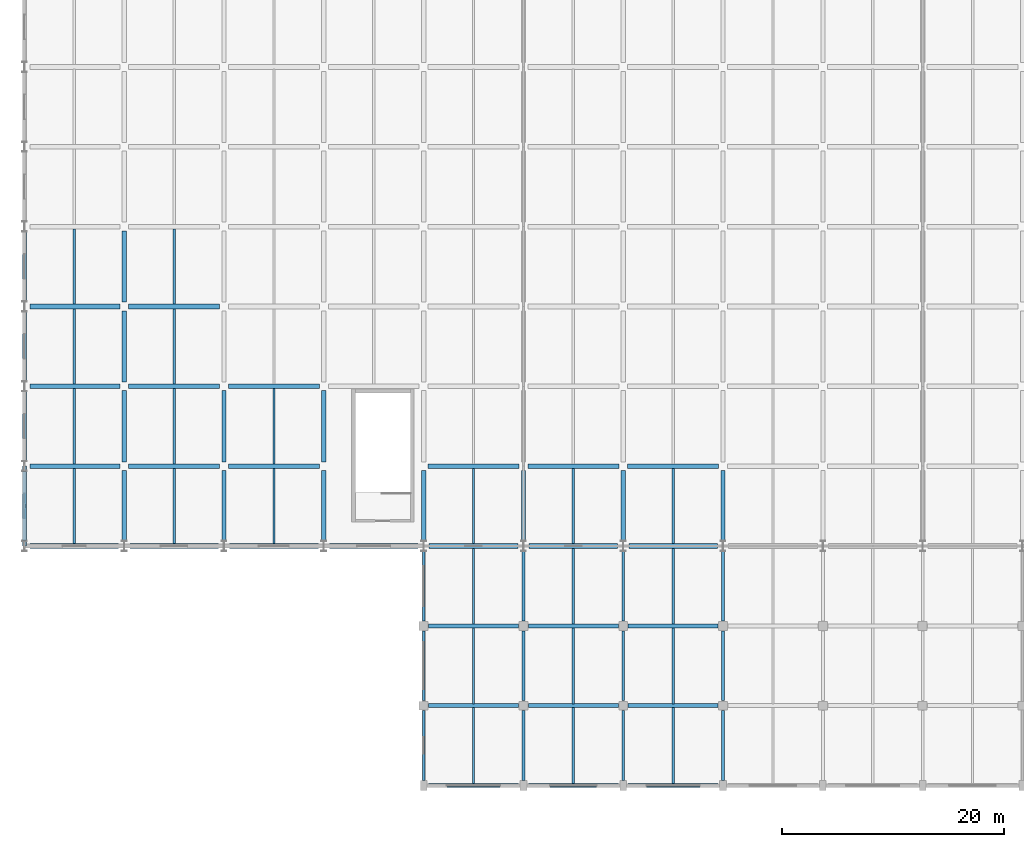
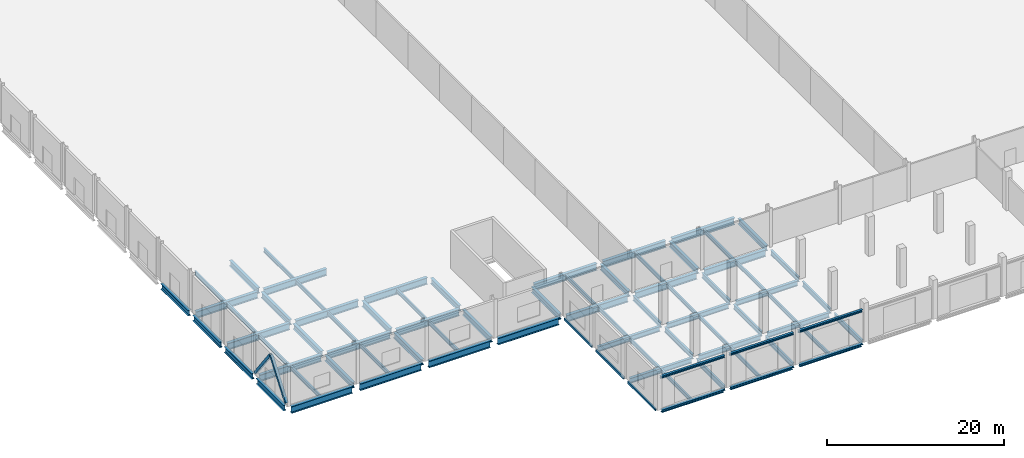
# One storey, part 17 of 137: 80 beams, 2 members.
"""IFC4 building model written with IfcOpenShell, lengths in metres."""

from ifc_helpers import new_model, si_unit, direction, frame, origin, origin_2d, place, context, subcontext, project, spatial, hollow_rectangle, i_section, extrude, material, material_profile, profile_set, type_object, element, save


model = new_model("IFC4")

# Units and contexts
model_context = context("Model", 3, precision=1e-05, world=origin(), true_north=direction((0.0, 1.0)))
body_context = subcontext(model_context, "Body", "Model", "MODEL_VIEW")
ifc_project = project(units=[si_unit("LENGTHUNIT", "METRE"), si_unit("AREAUNIT", "SQUARE_METRE"), si_unit("VOLUMEUNIT", "CUBIC_METRE"), si_unit("PLANEANGLEUNIT", "RADIAN"), si_unit("MASSUNIT", "GRAM", prefix="KILO")], contexts=[model_context])

# Site, building, storey
site_placement = place(None, origin())
site = spatial("IfcSite", under=ifc_project, at=site_placement, CompositionType="ELEMENT")
building_placement = place(site_placement, origin())
building = spatial("IfcBuilding", under=site, at=building_placement, Name="Celestram Park Convention Centre", CompositionType="ELEMENT")
storey_placement = place(building_placement, origin())
storey = spatial("IfcBuildingStorey", under=building, at=storey_placement, Name="L00", CompositionType="ELEMENT", Elevation=0.0)

# Beams
ifc_material_1 = material(Name="Steel ASTM A992 Grade 50", Category="steel")
ifc_material_profile_1 = material_profile(ifc_material_1, i_section(OverallWidth=0.35595703125, OverallDepth=0.696044921875, WebThickness=0.015380859375, FlangeThickness=0.02490234375, at=origin_2d()), Name="W27X146")
ifc_profile_set_1 = profile_set([ifc_material_profile_1], Name="Steel ASTM A992 Grade 50")
beam_type_1 = type_object("IfcBeamType", Name="STR-BM-W27X146", PredefinedType="BEAM", material=ifc_profile_set_1)
for number, where, z_axis, x_axis, name in (
    (1, (36.447998046875, 7.199951171875, -0.66796875), (1.0, 0.0, 0.0), (0.0, 1.0, 0.0), "Primary X-girder BG-L00-0133"),
    (2, (36.447998046875, 14.39990234375, -0.66796875), (1.0, 0.0, 0.0), (0.0, 1.0, 0.0), "Primary X-girder BG-L00-0135"),
    (3, (45.447998046875, 7.199951171875, -0.66796875), (1.0, 0.0, 0.0), (0.0, 1.0, 0.0), "Primary X-girder BG-L00-0177"),
    (4, (45.447998046875, 14.39990234375, -0.66796875), (1.0, 0.0, 0.0), (0.0, 1.0, 0.0), "Primary X-girder BG-L00-0179"),
    (5, (54.447998046875, 7.199951171875, -0.66796875), (1.0, 0.0, 0.0), (0.0, 1.0, 0.0), "Primary X-girder BG-L00-0224"),
    (6, (54.447998046875, 14.39990234375, -0.66796875), (1.0, 0.0, 0.0), (0.0, 1.0, 0.0), "Primary X-girder BG-L00-0226"),
):
    element("IfcBeam", number, at=place(storey_placement, frame(where, z_axis=z_axis, x_axis=x_axis)), inside=storey, type_object=beam_type_1, Name=name, PredefinedType="BEAM", context=body_context, shape_type="SweptSolid", body=[
        extrude(i_section(OverallWidth=0.35595703125, OverallDepth=0.696044921875, WebThickness=0.015380859375, FlangeThickness=0.02490234375, at=origin_2d()), origin(), (0.0, 0.0, 1.0), 8.10400390625),
    ])
ifc_material_profile_2 = material_profile(ifc_material_1, i_section(OverallWidth=0.25390625, OverallDepth=0.68310546875, WebThickness=0.012451171875, FlangeThickness=0.01904296875, at=origin_2d()), Name="W27X94")
ifc_profile_set_2 = profile_set([ifc_material_profile_2], Name="Steel ASTM A992 Grade 50")
beam_type_2 = type_object("IfcBeamType", Name="STR-BM-W27X94", PredefinedType="BEAM", material=ifc_profile_set_2)
for number, where, z_axis, x_axis, name in (
    (7, (45.0, 0.447998046875, -0.66162109375), (0.0, 1.0, 0.0), (-1.0, 0.0, 0.0), "Primary Y-girder BG-L00-0176"),
    (8, (45.0, 7.64794921875, -0.66162109375), (0.0, 1.0, 0.0), (-1.0, 0.0, 0.0), "Primary Y-girder BG-L00-0178"),
):
    element("IfcBeam", number, at=place(storey_placement, frame(where, z_axis=z_axis, x_axis=x_axis)), inside=storey, type_object=beam_type_2, Name=name, PredefinedType="BEAM", context=body_context, shape_type="SweptSolid", body=[
        extrude(i_section(OverallWidth=0.25390625, OverallDepth=0.68310546875, WebThickness=0.012451171875, FlangeThickness=0.01904296875, at=origin_2d()), origin(), (0.0, 0.0, 1.0), 6.303955078125),
    ])
beam_1_placement = place(storey_placement, frame((45.0, 14.847900390625, -0.66162109375), z_axis=(0.0, 1.0, 0.0), x_axis=(-1.0, 0.0, 0.0)))
element("IfcBeam", 9, at=beam_1_placement, inside=storey, type_object=beam_type_2, Name="Primary Y-girder BG-L00-0180", PredefinedType="BEAM", context=body_context, shape_type="SweptSolid", body=[
    extrude(i_section(OverallWidth=0.25390625, OverallDepth=0.68310546875, WebThickness=0.012451171875, FlangeThickness=0.01904296875, at=origin_2d()), origin(), (0.0, 0.0, 1.0), 6.254150390625),
])
for number, where, z_axis, x_axis, name in (
    (10, (54.0, 0.447998046875, -0.66162109375), (0.0, 1.0, 0.0), (-1.0, 0.0, 0.0), "Primary Y-girder BG-L00-0223"),
    (11, (54.0, 7.64794921875, -0.66162109375), (0.0, 1.0, 0.0), (-1.0, 0.0, 0.0), "Primary Y-girder BG-L00-0225"),
):
    element("IfcBeam", number, at=place(storey_placement, frame(where, z_axis=z_axis, x_axis=x_axis)), inside=storey, type_object=beam_type_2, Name=name, PredefinedType="BEAM", context=body_context, shape_type="SweptSolid", body=[
        extrude(i_section(OverallWidth=0.25390625, OverallDepth=0.68310546875, WebThickness=0.012451171875, FlangeThickness=0.01904296875, at=origin_2d()), origin(), (0.0, 0.0, 1.0), 6.303955078125),
    ])
beam_2_placement = place(storey_placement, frame((54.0, 14.847900390625, -0.66162109375), z_axis=(0.0, 1.0, 0.0), x_axis=(-1.0, 0.0, 0.0)))
element("IfcBeam", 12, at=beam_2_placement, inside=storey, type_object=beam_type_2, Name="Primary Y-girder BG-L00-0227", PredefinedType="BEAM", context=body_context, shape_type="SweptSolid", body=[
    extrude(i_section(OverallWidth=0.25390625, OverallDepth=0.68310546875, WebThickness=0.012451171875, FlangeThickness=0.01904296875, at=origin_2d()), origin(), (0.0, 0.0, 1.0), 6.254150390625),
])
for number, where, z_axis, x_axis, name in (
    (13, (63.0, 0.447998046875, -0.66162109375), (0.0, 1.0, 0.0), (-1.0, 0.0, 0.0), "Primary Y-girder BG-L00-0270"),
    (14, (63.0, 7.64794921875, -0.66162109375), (0.0, 1.0, 0.0), (-1.0, 0.0, 0.0), "Primary Y-girder BG-L00-0272"),
):
    element("IfcBeam", number, at=place(storey_placement, frame(where, z_axis=z_axis, x_axis=x_axis)), inside=storey, type_object=beam_type_2, Name=name, PredefinedType="BEAM", context=body_context, shape_type="SweptSolid", body=[
        extrude(i_section(OverallWidth=0.25390625, OverallDepth=0.68310546875, WebThickness=0.012451171875, FlangeThickness=0.01904296875, at=origin_2d()), origin(), (0.0, 0.0, 1.0), 6.303955078125),
    ])
beam_3_placement = place(storey_placement, frame((63.0, 14.847900390625, -0.66162109375), z_axis=(0.0, 1.0, 0.0), x_axis=(-1.0, 0.0, 0.0)))
element("IfcBeam", 15, at=beam_3_placement, inside=storey, type_object=beam_type_2, Name="Primary Y-girder BG-L00-0274", PredefinedType="BEAM", context=body_context, shape_type="SweptSolid", body=[
    extrude(i_section(OverallWidth=0.25390625, OverallDepth=0.68310546875, WebThickness=0.012451171875, FlangeThickness=0.01904296875, at=origin_2d()), origin(), (0.0, 0.0, 1.0), 6.254150390625),
])
ifc_material_profile_3 = material_profile(ifc_material_1, i_section(OverallWidth=0.381103515625, OverallDepth=0.77197265625, WebThickness=0.0166015625, FlangeThickness=0.027099609375, at=origin_2d()), Name="W30X173")
ifc_profile_set_3 = profile_set([ifc_material_profile_3], Name="Steel ASTM A992 Grade 50")
beam_type_3 = type_object("IfcBeamType", Name="STR-BM-W30X173", PredefinedType="BEAM", material=ifc_profile_set_3)
beam_4_placement = place(storey_placement, frame((0.0, 22.097900390625, -0.74609375), z_axis=(0.0, 1.0, 0.0), x_axis=(-1.0, 0.0, 0.0)))
element("IfcBeam", 16, at=beam_4_placement, inside=storey, type_object=beam_type_3, Name="Primary Y-girder BG-L00-0002", PredefinedType="BEAM", context=body_context, shape_type="SweptSolid", body=[
    extrude(i_section(OverallWidth=0.381103515625, OverallDepth=0.77197265625, WebThickness=0.0166015625, FlangeThickness=0.027099609375, at=origin_2d()), origin(), (0.0, 0.0, 1.0), 6.2041015625),
])
for number, where, z_axis, x_axis, name in (
    (17, (0.0, 29.298095703125, -0.74609375), (0.0, 1.0, 0.0), (-1.0, 0.0, 0.0), "Primary Y-girder BG-L00-0004"),
    (18, (0.0, 36.498046875, -0.74609375), (0.0, 1.0, 0.0), (-1.0, 0.0, 0.0), "Primary Y-girder BG-L00-0006"),
):
    element("IfcBeam", number, at=place(storey_placement, frame(where, z_axis=z_axis, x_axis=x_axis)), inside=storey, type_object=beam_type_3, Name=name, PredefinedType="BEAM", context=body_context, shape_type="SweptSolid", body=[
        extrude(i_section(OverallWidth=0.381103515625, OverallDepth=0.77197265625, WebThickness=0.0166015625, FlangeThickness=0.027099609375, at=origin_2d()), origin(), (0.0, 0.0, 1.0), 6.203857421875),
    ])
beam_5_placement = place(storey_placement, frame((0.0, 43.697998046875, -0.74609375), z_axis=(0.0, 1.0, 0.0), x_axis=(-1.0, 0.0, 0.0)))
element("IfcBeam", 19, at=beam_5_placement, inside=storey, type_object=beam_type_3, Name="Primary Y-girder BG-L00-0008", PredefinedType="BEAM", context=body_context, shape_type="SweptSolid", body=[
    extrude(i_section(OverallWidth=0.381103515625, OverallDepth=0.77197265625, WebThickness=0.0166015625, FlangeThickness=0.027099609375, at=origin_2d()), origin(), (0.0, 0.0, 1.0), 6.2041015625),
])
beam_6_placement = place(storey_placement, frame((9.0, 22.097900390625, -0.74609375), z_axis=(0.0, 1.0, 0.0), x_axis=(-1.0, 0.0, 0.0)))
element("IfcBeam", 20, at=beam_6_placement, inside=storey, type_object=beam_type_3, Name="Primary Y-girder BG-L00-0035", PredefinedType="BEAM", context=body_context, shape_type="SweptSolid", body=[
    extrude(i_section(OverallWidth=0.381103515625, OverallDepth=0.77197265625, WebThickness=0.0166015625, FlangeThickness=0.027099609375, at=origin_2d()), origin(), (0.0, 0.0, 1.0), 6.30419921875),
])
for number, where, z_axis, x_axis, name in (
    (21, (9.0, 29.197998046875, -0.74609375), (0.0, 1.0, 0.0), (-1.0, 0.0, 0.0), "Primary Y-girder BG-L00-0037"),
    (22, (9.0, 36.39794921875, -0.74609375), (0.0, 1.0, 0.0), (-1.0, 0.0, 0.0), "Primary Y-girder BG-L00-0039"),
    (23, (9.0, 43.597900390625, -0.74609375), (0.0, 1.0, 0.0), (-1.0, 0.0, 0.0), "Primary Y-girder BG-L00-0041"),
):
    element("IfcBeam", number, at=place(storey_placement, frame(where, z_axis=z_axis, x_axis=x_axis)), inside=storey, type_object=beam_type_3, Name=name, PredefinedType="BEAM", context=body_context, shape_type="SweptSolid", body=[
        extrude(i_section(OverallWidth=0.381103515625, OverallDepth=0.77197265625, WebThickness=0.0166015625, FlangeThickness=0.027099609375, at=origin_2d()), origin(), (0.0, 0.0, 1.0), 6.404052734375),
    ])
beam_7_placement = place(storey_placement, frame((18.0, 22.097900390625, -0.74609375), z_axis=(0.0, 1.0, 0.0), x_axis=(-1.0, 0.0, 0.0)))
element("IfcBeam", 24, at=beam_7_placement, inside=storey, type_object=beam_type_3, Name="Primary Y-girder BG-L00-0067", PredefinedType="BEAM", context=body_context, shape_type="SweptSolid", body=[
    extrude(i_section(OverallWidth=0.381103515625, OverallDepth=0.77197265625, WebThickness=0.0166015625, FlangeThickness=0.027099609375, at=origin_2d()), origin(), (0.0, 0.0, 1.0), 6.30419921875),
])
beam_8_placement = place(storey_placement, frame((18.0, 29.197998046875, -0.74609375), z_axis=(0.0, 1.0, 0.0), x_axis=(-1.0, 0.0, 0.0)))
element("IfcBeam", 25, at=beam_8_placement, inside=storey, type_object=beam_type_3, Name="Primary Y-girder BG-L00-0069", PredefinedType="BEAM", context=body_context, shape_type="SweptSolid", body=[
    extrude(i_section(OverallWidth=0.381103515625, OverallDepth=0.77197265625, WebThickness=0.0166015625, FlangeThickness=0.027099609375, at=origin_2d()), origin(), (0.0, 0.0, 1.0), 6.404052734375),
])
beam_9_placement = place(storey_placement, frame((27.0, 22.097900390625, -0.74609375), z_axis=(0.0, 1.0, 0.0), x_axis=(-1.0, 0.0, 0.0)))
element("IfcBeam", 26, at=beam_9_placement, inside=storey, type_object=beam_type_3, Name="Primary Y-girder BG-L00-0100", PredefinedType="BEAM", context=body_context, shape_type="SweptSolid", body=[
    extrude(i_section(OverallWidth=0.381103515625, OverallDepth=0.77197265625, WebThickness=0.0166015625, FlangeThickness=0.027099609375, at=origin_2d()), origin(), (0.0, 0.0, 1.0), 6.30419921875),
])
beam_10_placement = place(storey_placement, frame((27.0, 29.197998046875, -0.74609375), z_axis=(0.0, 1.0, 0.0), x_axis=(-1.0, 0.0, 0.0)))
element("IfcBeam", 27, at=beam_10_placement, inside=storey, type_object=beam_type_3, Name="Primary Y-girder BG-L00-0101", PredefinedType="BEAM", context=body_context, shape_type="SweptSolid", body=[
    extrude(i_section(OverallWidth=0.381103515625, OverallDepth=0.77197265625, WebThickness=0.0166015625, FlangeThickness=0.027099609375, at=origin_2d()), origin(), (0.0, 0.0, 1.0), 6.404052734375),
])
for number, where, z_axis, x_axis, name in (
    (28, (36.0, 22.097900390625, -0.74609375), (0.0, 1.0, 0.0), (-1.0, 0.0, 0.0), "Primary Y-girder BG-L00-0138"),
    (29, (45.0, 22.097900390625, -0.74609375), (0.0, 1.0, 0.0), (-1.0, 0.0, 0.0), "Primary Y-girder BG-L00-0182"),
    (30, (54.0, 22.097900390625, -0.74609375), (0.0, 1.0, 0.0), (-1.0, 0.0, 0.0), "Primary Y-girder BG-L00-0229"),
    (31, (63.0, 22.097900390625, -0.74609375), (0.0, 1.0, 0.0), (-1.0, 0.0, 0.0), "Primary Y-girder BG-L00-0276"),
):
    element("IfcBeam", number, at=place(storey_placement, frame(where, z_axis=z_axis, x_axis=x_axis)), inside=storey, type_object=beam_type_3, Name=name, PredefinedType="BEAM", context=body_context, shape_type="SweptSolid", body=[
        extrude(i_section(OverallWidth=0.381103515625, OverallDepth=0.77197265625, WebThickness=0.0166015625, FlangeThickness=0.027099609375, at=origin_2d()), origin(), (0.0, 0.0, 1.0), 6.30419921875),
    ])
ifc_material_profile_4 = material_profile(ifc_material_1, i_section(OverallWidth=0.4189453125, OverallDepth=0.927001953125, WebThickness=0.019287109375, FlangeThickness=0.031982421875, at=origin_2d()), Name="W36X231")
ifc_profile_set_4 = profile_set([ifc_material_profile_4], Name="Steel ASTM A992 Grade 50")
beam_type_4 = type_object("IfcBeamType", Name="STR-BM-W36X231", PredefinedType="BEAM", material=ifc_profile_set_4)
beam_11_placement = place(storey_placement, frame((0.498046875, 21.60009765625, -0.823486328125), z_axis=(1.0, 0.0, 0.0), x_axis=(0.0, 1.0, 0.0)))
element("IfcBeam", 32, at=beam_11_placement, inside=storey, type_object=beam_type_4, Name="Primary X-girder BG-L00-0001", PredefinedType="BEAM", context=body_context, shape_type="SweptSolid", body=[
    extrude(i_section(OverallWidth=0.4189453125, OverallDepth=0.927001953125, WebThickness=0.019287109375, FlangeThickness=0.031982421875, at=origin_2d()), origin(), (0.0, 0.0, 1.0), 8.00390625),
])
for number, where, z_axis, x_axis, name in (
    (33, (0.498046875, 28.800048828125, -0.823486328125), (1.0, 0.0, 0.0), (0.0, 1.0, 0.0), "Primary X-girder BG-L00-0003"),
    (34, (0.498046875, 36.0, -0.823486328125), (1.0, 0.0, 0.0), (0.0, 1.0, 0.0), "Primary X-girder BG-L00-0005"),
    (35, (0.498046875, 43.199951171875, -0.823486328125), (1.0, 0.0, 0.0), (0.0, 1.0, 0.0), "Primary X-girder BG-L00-0007"),
):
    element("IfcBeam", number, at=place(storey_placement, frame(where, z_axis=z_axis, x_axis=x_axis)), inside=storey, type_object=beam_type_4, Name=name, PredefinedType="BEAM", context=body_context, shape_type="SweptSolid", body=[
        extrude(i_section(OverallWidth=0.4189453125, OverallDepth=0.927001953125, WebThickness=0.019287109375, FlangeThickness=0.031982421875, at=origin_2d()), origin(), (0.0, 0.0, 1.0), 8.10400390625),
    ])
beam_12_placement = place(storey_placement, frame((9.498046875, 21.60009765625, -0.823486328125), z_axis=(1.0, 0.0, 0.0), x_axis=(0.0, 1.0, 0.0)))
element("IfcBeam", 36, at=beam_12_placement, inside=storey, type_object=beam_type_4, Name="Primary X-girder BG-L00-0034", PredefinedType="BEAM", context=body_context, shape_type="SweptSolid", body=[
    extrude(i_section(OverallWidth=0.4189453125, OverallDepth=0.927001953125, WebThickness=0.019287109375, FlangeThickness=0.031982421875, at=origin_2d()), origin(), (0.0, 0.0, 1.0), 8.00390625),
])
for number, where, z_axis, x_axis, name in (
    (37, (9.39794921875, 28.800048828125, -0.823486328125), (1.0, 0.0, 0.0), (0.0, 1.0, 0.0), "Primary X-girder BG-L00-0036"),
    (38, (9.39794921875, 36.0, -0.823486328125), (1.0, 0.0, 0.0), (0.0, 1.0, 0.0), "Primary X-girder BG-L00-0038"),
    (39, (9.39794921875, 43.199951171875, -0.823486328125), (1.0, 0.0, 0.0), (0.0, 1.0, 0.0), "Primary X-girder BG-L00-0040"),
):
    element("IfcBeam", number, at=place(storey_placement, frame(where, z_axis=z_axis, x_axis=x_axis)), inside=storey, type_object=beam_type_4, Name=name, PredefinedType="BEAM", context=body_context, shape_type="SweptSolid", body=[
        extrude(i_section(OverallWidth=0.4189453125, OverallDepth=0.927001953125, WebThickness=0.019287109375, FlangeThickness=0.031982421875, at=origin_2d()), origin(), (0.0, 0.0, 1.0), 8.2041015625),
    ])
beam_13_placement = place(storey_placement, frame((18.498046875, 21.60009765625, -0.823486328125), z_axis=(1.0, 0.0, 0.0), x_axis=(0.0, 1.0, 0.0)))
element("IfcBeam", 40, at=beam_13_placement, inside=storey, type_object=beam_type_4, Name="Primary X-girder BG-L00-0066", PredefinedType="BEAM", context=body_context, shape_type="SweptSolid", body=[
    extrude(i_section(OverallWidth=0.4189453125, OverallDepth=0.927001953125, WebThickness=0.019287109375, FlangeThickness=0.031982421875, at=origin_2d()), origin(), (0.0, 0.0, 1.0), 8.00390625),
])
for number, where, z_axis, x_axis, name in (
    (41, (18.39794921875, 28.800048828125, -0.823486328125), (1.0, 0.0, 0.0), (0.0, 1.0, 0.0), "Primary X-girder BG-L00-0068"),
    (42, (18.39794921875, 36.0, -0.823486328125), (1.0, 0.0, 0.0), (0.0, 1.0, 0.0), "Primary X-girder BG-L00-0070"),
):
    element("IfcBeam", number, at=place(storey_placement, frame(where, z_axis=z_axis, x_axis=x_axis)), inside=storey, type_object=beam_type_4, Name=name, PredefinedType="BEAM", context=body_context, shape_type="SweptSolid", body=[
        extrude(i_section(OverallWidth=0.4189453125, OverallDepth=0.927001953125, WebThickness=0.019287109375, FlangeThickness=0.031982421875, at=origin_2d()), origin(), (0.0, 0.0, 1.0), 8.2041015625),
    ])
for number, where, z_axis, x_axis, name in (
    (43, (27.498046875, 21.60009765625, -0.823486328125), (1.0, 0.0, 0.0), (0.0, 1.0, 0.0), "Primary X-girder BG-L00-0099"),
    (44, (36.498046875, 21.60009765625, -0.823486328125), (1.0, 0.0, 0.0), (0.0, 1.0, 0.0), "Primary X-girder BG-L00-0137"),
):
    element("IfcBeam", number, at=place(storey_placement, frame(where, z_axis=z_axis, x_axis=x_axis)), inside=storey, type_object=beam_type_4, Name=name, PredefinedType="BEAM", context=body_context, shape_type="SweptSolid", body=[
        extrude(i_section(OverallWidth=0.4189453125, OverallDepth=0.927001953125, WebThickness=0.019287109375, FlangeThickness=0.031982421875, at=origin_2d()), origin(), (0.0, 0.0, 1.0), 8.00390625),
    ])
beam_14_placement = place(storey_placement, frame((36.39794921875, 28.800048828125, -0.823486328125), z_axis=(1.0, 0.0, 0.0), x_axis=(0.0, 1.0, 0.0)))
element("IfcBeam", 45, at=beam_14_placement, inside=storey, type_object=beam_type_4, Name="Primary X-girder BG-L00-0139", PredefinedType="BEAM", context=body_context, shape_type="SweptSolid", body=[
    extrude(i_section(OverallWidth=0.4189453125, OverallDepth=0.927001953125, WebThickness=0.019287109375, FlangeThickness=0.031982421875, at=origin_2d()), origin(), (0.0, 0.0, 1.0), 8.2041015625),
])
beam_15_placement = place(storey_placement, frame((45.498046875, 21.60009765625, -0.823486328125), z_axis=(1.0, 0.0, 0.0), x_axis=(0.0, 1.0, 0.0)))
element("IfcBeam", 46, at=beam_15_placement, inside=storey, type_object=beam_type_4, Name="Primary X-girder BG-L00-0181", PredefinedType="BEAM", context=body_context, shape_type="SweptSolid", body=[
    extrude(i_section(OverallWidth=0.4189453125, OverallDepth=0.927001953125, WebThickness=0.019287109375, FlangeThickness=0.031982421875, at=origin_2d()), origin(), (0.0, 0.0, 1.0), 8.00390625),
])
beam_16_placement = place(storey_placement, frame((45.39794921875, 28.800048828125, -0.823486328125), z_axis=(1.0, 0.0, 0.0), x_axis=(0.0, 1.0, 0.0)))
element("IfcBeam", 47, at=beam_16_placement, inside=storey, type_object=beam_type_4, Name="Primary X-girder BG-L00-0183", PredefinedType="BEAM", context=body_context, shape_type="SweptSolid", body=[
    extrude(i_section(OverallWidth=0.4189453125, OverallDepth=0.927001953125, WebThickness=0.019287109375, FlangeThickness=0.031982421875, at=origin_2d()), origin(), (0.0, 0.0, 1.0), 8.2041015625),
])
beam_17_placement = place(storey_placement, frame((54.498046875, 21.60009765625, -0.823486328125), z_axis=(1.0, 0.0, 0.0), x_axis=(0.0, 1.0, 0.0)))
element("IfcBeam", 48, at=beam_17_placement, inside=storey, type_object=beam_type_4, Name="Primary X-girder BG-L00-0228", PredefinedType="BEAM", context=body_context, shape_type="SweptSolid", body=[
    extrude(i_section(OverallWidth=0.4189453125, OverallDepth=0.927001953125, WebThickness=0.019287109375, FlangeThickness=0.031982421875, at=origin_2d()), origin(), (0.0, 0.0, 1.0), 8.00390625),
])
beam_18_placement = place(storey_placement, frame((54.39794921875, 28.800048828125, -0.823486328125), z_axis=(1.0, 0.0, 0.0), x_axis=(0.0, 1.0, 0.0)))
element("IfcBeam", 49, at=beam_18_placement, inside=storey, type_object=beam_type_4, Name="Primary X-girder BG-L00-0230", PredefinedType="BEAM", context=body_context, shape_type="SweptSolid", body=[
    extrude(i_section(OverallWidth=0.4189453125, OverallDepth=0.927001953125, WebThickness=0.019287109375, FlangeThickness=0.031982421875, at=origin_2d()), origin(), (0.0, 0.0, 1.0), 8.2041015625),
])

# Members
ifc_material_2 = material(Name="Steel ASTM A500 Grade C", Category="steel")
ifc_material_profile_5 = material_profile(ifc_material_2, hollow_rectangle(XDim=0.35009765625, YDim=0.35009765625, WallThickness=0.01611328125, at=origin_2d()), Name="HSS350X350X16")
ifc_profile_set_5 = profile_set([ifc_material_profile_5], Name="Steel ASTM A500 Grade C")
member_type = type_object("IfcMemberType", Name="STR-BRC-HSS350", PredefinedType="BRACE", material=ifc_profile_set_5)
for number, where, z_axis, x_axis, name in (
    (50, (0.0, 21.719970703125, 0.14990234375), (0.0, 0.603313187875, 0.797504355685), (-1.0, 0.0, 0.0), "Chevron braced-frame diagonal BF-L00-001"),
    (51, (0.0, 28.679931640625, 0.14990234375), (0.0, -0.603313187875, 0.797504355685), (1.0, 0.0, 0.0), "Chevron braced-frame diagonal BF-L00-002"),
):
    element("IfcMember", number, at=place(storey_placement, frame(where, z_axis=z_axis, x_axis=x_axis)), inside=storey, type_object=member_type, Name=name, PredefinedType="BRACE", context=body_context, shape_type="SweptSolid", body=[
        extrude(hollow_rectangle(XDim=0.35009765625, YDim=0.35009765625, WallThickness=0.01611328125, at=origin_2d()), origin(), (0.0, 0.0, 1.0), 5.76806640625),
    ])

# Beams
ifc_material_profile_6 = material_profile(ifc_material_1, i_section(OverallWidth=0.2099609375, OverallDepth=0.532958984375, WebThickness=0.01025390625, FlangeThickness=0.015625, at=origin_2d()), Name="W21X62")
ifc_profile_set_6 = profile_set([ifc_material_profile_6], Name="Steel ASTM A992 Grade 50")
beam_type_5 = type_object("IfcBeamType", Name="STR-JST-W21X62", PredefinedType="JOIST", material=ifc_profile_set_6)
beam_19_placement = place(storey_placement, frame((40.5, 0.181884765625, -0.58642578125), z_axis=(0.0, 1.0, 0.0), x_axis=(-1.0, 0.0, 0.0)))
element("IfcBeam", 52, at=beam_19_placement, inside=storey, type_object=beam_type_5, Name="Secondary composite joist BG-L00-0940", PredefinedType="JOIST", context=body_context, shape_type="SweptSolid", body=[
    extrude(i_section(OverallWidth=0.2099609375, OverallDepth=0.532958984375, WebThickness=0.01025390625, FlangeThickness=0.015625, at=origin_2d()), origin(), (0.0, 0.0, 1.0), 6.843994140625),
])
beam_20_placement = place(storey_placement, frame((40.5, 7.3740234375, -0.58642578125), z_axis=(0.0, 1.0, 0.0), x_axis=(-1.0, 0.0, 0.0)))
element("IfcBeam", 53, at=beam_20_placement, inside=storey, type_object=beam_type_5, Name="Secondary composite joist BG-L00-0941", PredefinedType="JOIST", context=body_context, shape_type="SweptSolid", body=[
    extrude(i_section(OverallWidth=0.2099609375, OverallDepth=0.532958984375, WebThickness=0.01025390625, FlangeThickness=0.015625, at=origin_2d()), origin(), (0.0, 0.0, 1.0), 6.85205078125),
])
beam_21_placement = place(storey_placement, frame((40.5, 14.573974609375, -0.58642578125), z_axis=(0.0, 1.0, 0.0), x_axis=(-1.0, 0.0, 0.0)))
element("IfcBeam", 54, at=beam_21_placement, inside=storey, type_object=beam_type_5, Name="Secondary composite joist BG-L00-0942", PredefinedType="JOIST", context=body_context, shape_type="SweptSolid", body=[
    extrude(i_section(OverallWidth=0.2099609375, OverallDepth=0.532958984375, WebThickness=0.01025390625, FlangeThickness=0.015625, at=origin_2d()), origin(), (0.0, 0.0, 1.0), 6.821044921875),
])
beam_22_placement = place(storey_placement, frame((49.5, 0.181884765625, -0.58642578125), z_axis=(0.0, 1.0, 0.0), x_axis=(-1.0, 0.0, 0.0)))
element("IfcBeam", 55, at=beam_22_placement, inside=storey, type_object=beam_type_5, Name="Secondary composite joist BG-L00-0958", PredefinedType="JOIST", context=body_context, shape_type="SweptSolid", body=[
    extrude(i_section(OverallWidth=0.2099609375, OverallDepth=0.532958984375, WebThickness=0.01025390625, FlangeThickness=0.015625, at=origin_2d()), origin(), (0.0, 0.0, 1.0), 6.843994140625),
])
beam_23_placement = place(storey_placement, frame((49.5, 7.3740234375, -0.58642578125), z_axis=(0.0, 1.0, 0.0), x_axis=(-1.0, 0.0, 0.0)))
element("IfcBeam", 56, at=beam_23_placement, inside=storey, type_object=beam_type_5, Name="Secondary composite joist BG-L00-0959", PredefinedType="JOIST", context=body_context, shape_type="SweptSolid", body=[
    extrude(i_section(OverallWidth=0.2099609375, OverallDepth=0.532958984375, WebThickness=0.01025390625, FlangeThickness=0.015625, at=origin_2d()), origin(), (0.0, 0.0, 1.0), 6.85205078125),
])
beam_24_placement = place(storey_placement, frame((49.5, 14.573974609375, -0.58642578125), z_axis=(0.0, 1.0, 0.0), x_axis=(-1.0, 0.0, 0.0)))
element("IfcBeam", 57, at=beam_24_placement, inside=storey, type_object=beam_type_5, Name="Secondary composite joist BG-L00-0960", PredefinedType="JOIST", context=body_context, shape_type="SweptSolid", body=[
    extrude(i_section(OverallWidth=0.2099609375, OverallDepth=0.532958984375, WebThickness=0.01025390625, FlangeThickness=0.015625, at=origin_2d()), origin(), (0.0, 0.0, 1.0), 6.821044921875),
])
beam_25_placement = place(storey_placement, frame((58.5, 0.181884765625, -0.58642578125), z_axis=(0.0, 1.0, 0.0), x_axis=(-1.0, 0.0, 0.0)))
element("IfcBeam", 58, at=beam_25_placement, inside=storey, type_object=beam_type_5, Name="Secondary composite joist BG-L00-0980", PredefinedType="JOIST", context=body_context, shape_type="SweptSolid", body=[
    extrude(i_section(OverallWidth=0.2099609375, OverallDepth=0.532958984375, WebThickness=0.01025390625, FlangeThickness=0.015625, at=origin_2d()), origin(), (0.0, 0.0, 1.0), 6.843994140625),
])
beam_26_placement = place(storey_placement, frame((58.5, 7.3740234375, -0.58642578125), z_axis=(0.0, 1.0, 0.0), x_axis=(-1.0, 0.0, 0.0)))
element("IfcBeam", 59, at=beam_26_placement, inside=storey, type_object=beam_type_5, Name="Secondary composite joist BG-L00-0981", PredefinedType="JOIST", context=body_context, shape_type="SweptSolid", body=[
    extrude(i_section(OverallWidth=0.2099609375, OverallDepth=0.532958984375, WebThickness=0.01025390625, FlangeThickness=0.015625, at=origin_2d()), origin(), (0.0, 0.0, 1.0), 6.85205078125),
])
beam_27_placement = place(storey_placement, frame((58.5, 14.573974609375, -0.58642578125), z_axis=(0.0, 1.0, 0.0), x_axis=(-1.0, 0.0, 0.0)))
element("IfcBeam", 60, at=beam_27_placement, inside=storey, type_object=beam_type_5, Name="Secondary composite joist BG-L00-0982", PredefinedType="JOIST", context=body_context, shape_type="SweptSolid", body=[
    extrude(i_section(OverallWidth=0.2099609375, OverallDepth=0.532958984375, WebThickness=0.01025390625, FlangeThickness=0.015625, at=origin_2d()), origin(), (0.0, 0.0, 1.0), 6.821044921875),
])
ifc_material_profile_7 = material_profile(ifc_material_1, i_section(OverallWidth=0.214111328125, OverallDepth=0.549072265625, WebThickness=0.0146484375, FlangeThickness=0.023681640625, at=origin_2d()), Name="W21X93")
ifc_profile_set_7 = profile_set([ifc_material_profile_7], Name="Steel ASTM A992 Grade 50")
beam_type_6 = type_object("IfcBeamType", Name="STR-JST-W21X93", PredefinedType="JOIST", material=ifc_profile_set_7)
for number, where, z_axis, x_axis, name in (
    (61, (4.5, 21.804931640625, -0.634521484375), (0.0, 1.0, 0.0), (-1.0, 0.0, 0.0), "Secondary composite joist BG-L00-0880"),
    (62, (4.5, 29.0048828125, -0.634521484375), (0.0, 1.0, 0.0), (-1.0, 0.0, 0.0), "Secondary composite joist BG-L00-0881"),
    (63, (4.5, 36.205078125, -0.634521484375), (0.0, 1.0, 0.0), (-1.0, 0.0, 0.0), "Secondary composite joist BG-L00-0882"),
    (64, (4.5, 43.405029296875, -0.634521484375), (0.0, 1.0, 0.0), (-1.0, 0.0, 0.0), "Secondary composite joist BG-L00-0883"),
    (65, (13.5, 21.804931640625, -0.634521484375), (0.0, 1.0, 0.0), (-1.0, 0.0, 0.0), "Secondary composite joist BG-L00-0896"),
    (66, (13.5, 29.0048828125, -0.634521484375), (0.0, 1.0, 0.0), (-1.0, 0.0, 0.0), "Secondary composite joist BG-L00-0897"),
    (67, (13.5, 36.205078125, -0.634521484375), (0.0, 1.0, 0.0), (-1.0, 0.0, 0.0), "Secondary composite joist BG-L00-0898"),
    (68, (13.5, 43.405029296875, -0.634521484375), (0.0, 1.0, 0.0), (-1.0, 0.0, 0.0), "Secondary composite joist BG-L00-0899"),
    (69, (22.5, 21.804931640625, -0.634521484375), (0.0, 1.0, 0.0), (-1.0, 0.0, 0.0), "Secondary composite joist BG-L00-0910"),
    (70, (22.5, 29.0048828125, -0.634521484375), (0.0, 1.0, 0.0), (-1.0, 0.0, 0.0), "Secondary composite joist BG-L00-0911"),
    (71, (40.5, 21.804931640625, -0.634521484375), (0.0, 1.0, 0.0), (-1.0, 0.0, 0.0), "Secondary composite joist BG-L00-0943"),
    (72, (49.5, 21.804931640625, -0.634521484375), (0.0, 1.0, 0.0), (-1.0, 0.0, 0.0), "Secondary composite joist BG-L00-0961"),
    (73, (58.5, 21.804931640625, -0.634521484375), (0.0, 1.0, 0.0), (-1.0, 0.0, 0.0), "Secondary composite joist BG-L00-0983"),
):
    element("IfcBeam", number, at=place(storey_placement, frame(where, z_axis=z_axis, x_axis=x_axis)), inside=storey, type_object=beam_type_6, Name=name, PredefinedType="JOIST", context=body_context, shape_type="SweptSolid", body=[
        extrude(i_section(OverallWidth=0.214111328125, OverallDepth=0.549072265625, WebThickness=0.0146484375, FlangeThickness=0.023681640625, at=origin_2d()), origin(), (0.0, 0.0, 1.0), 6.7900390625),
    ])
ifc_material_profile_8 = material_profile(ifc_material_1, i_section(OverallWidth=0.304931640625, OverallDepth=0.306884765625, WebThickness=0.010009765625, FlangeThickness=0.015380859375, at=origin_2d()), Name="W12X65")
ifc_profile_set_8 = profile_set([ifc_material_profile_8], Name="Steel ASTM A992 Grade 50")
beam_type_7 = type_object("IfcBeamType", Name="STR-LNT-W12X65", PredefinedType="LINTEL", material=ifc_profile_set_8)
for number, where, z_axis, x_axis, name in (
    (74, (36.298095703125, 0.0, 4.196533203125), (1.0, 0.0, 0.0), (0.0, 1.0, 0.0), "Dock shutter lintel BG-L00-1247"),
    (75, (45.298095703125, 0.0, 4.196533203125), (1.0, 0.0, 0.0), (0.0, 1.0, 0.0), "Dock shutter lintel BG-L00-1248"),
    (76, (54.298095703125, 0.0, 4.196533203125), (1.0, 0.0, 0.0), (0.0, 1.0, 0.0), "Dock shutter lintel BG-L00-1249"),
):
    element("IfcBeam", number, at=place(storey_placement, frame(where, z_axis=z_axis, x_axis=x_axis)), inside=storey, type_object=beam_type_7, Name=name, PredefinedType="LINTEL", context=body_context, shape_type="SweptSolid", body=[
        extrude(i_section(OverallWidth=0.304931640625, OverallDepth=0.306884765625, WebThickness=0.010009765625, FlangeThickness=0.015380859375, at=origin_2d()), origin(), (0.0, 0.0, 1.0), 8.40380859375),
    ])
ifc_material_profile_9 = material_profile(ifc_material_2, hollow_rectangle(XDim=0.199951171875, YDim=0.300048828125, WallThickness=0.011962890625, at=origin_2d()), Name="HSS300X200X12")
ifc_profile_set_9 = profile_set([ifc_material_profile_9], Name="Steel ASTM A500 Grade C")
beam_type_8 = type_object("IfcBeamType", Name="STR-SPN-HSS300X200", PredefinedType="SPANDREL", material=ifc_profile_set_9)
for number, where, z_axis, x_axis, name in (
    (77, (36.0, 0.447998046875, -0.469970703125), (0.0, 1.0, 0.0), (-1.0, 0.0, 0.0), "Primary Y-girder BG-L00-0132"),
    (78, (36.0, 7.64794921875, -0.469970703125), (0.0, 1.0, 0.0), (-1.0, 0.0, 0.0), "Primary Y-girder BG-L00-0134"),
):
    element("IfcBeam", number, at=place(storey_placement, frame(where, z_axis=z_axis, x_axis=x_axis)), inside=storey, type_object=beam_type_8, Name=name, PredefinedType="SPANDREL", context=body_context, shape_type="SweptSolid", body=[
        extrude(hollow_rectangle(XDim=0.199951171875, YDim=0.300048828125, WallThickness=0.011962890625, at=origin_2d()), origin(), (0.0, 0.0, 1.0), 6.303955078125),
    ])
beam_28_placement = place(storey_placement, frame((36.0, 14.847900390625, -0.469970703125), z_axis=(0.0, 1.0, 0.0), x_axis=(-1.0, 0.0, 0.0)))
element("IfcBeam", 79, at=beam_28_placement, inside=storey, type_object=beam_type_8, Name="Primary Y-girder BG-L00-0136", PredefinedType="SPANDREL", context=body_context, shape_type="SweptSolid", body=[
    extrude(hollow_rectangle(XDim=0.199951171875, YDim=0.300048828125, WallThickness=0.011962890625, at=origin_2d()), origin(), (0.0, 0.0, 1.0), 6.254150390625),
])
ifc_material_profile_10 = material_profile(ifc_material_1, i_section(OverallWidth=0.373046875, OverallDepth=0.373046875, WebThickness=0.016357421875, FlangeThickness=0.026123046875, at=origin_2d()), Name="W14X132")
ifc_profile_set_10 = profile_set([ifc_material_profile_10], Name="Steel ASTM A992 Grade 50")
beam_type_9 = type_object("IfcBeamType", Name="STR-SPN-W14X132", PredefinedType="SPANDREL", material=ifc_profile_set_10)
for number, where, z_axis, x_axis, name in (
    (80, (36.447998046875, 0.0, -0.506591796875), (1.0, 0.0, 0.0), (0.0, 1.0, 0.0), "Primary X-girder BG-L00-0131"),
    (81, (45.447998046875, 0.0, -0.506591796875), (1.0, 0.0, 0.0), (0.0, 1.0, 0.0), "Primary X-girder BG-L00-0175"),
    (82, (54.447998046875, 0.0, -0.506591796875), (1.0, 0.0, 0.0), (0.0, 1.0, 0.0), "Primary X-girder BG-L00-0222"),
):
    element("IfcBeam", number, at=place(storey_placement, frame(where, z_axis=z_axis, x_axis=x_axis)), inside=storey, type_object=beam_type_9, Name=name, PredefinedType="SPANDREL", context=body_context, shape_type="SweptSolid", body=[
        extrude(i_section(OverallWidth=0.373046875, OverallDepth=0.373046875, WebThickness=0.016357421875, FlangeThickness=0.026123046875, at=origin_2d()), origin(), (0.0, 0.0, 1.0), 8.10400390625),
    ])

save(model, "model.ifc")
